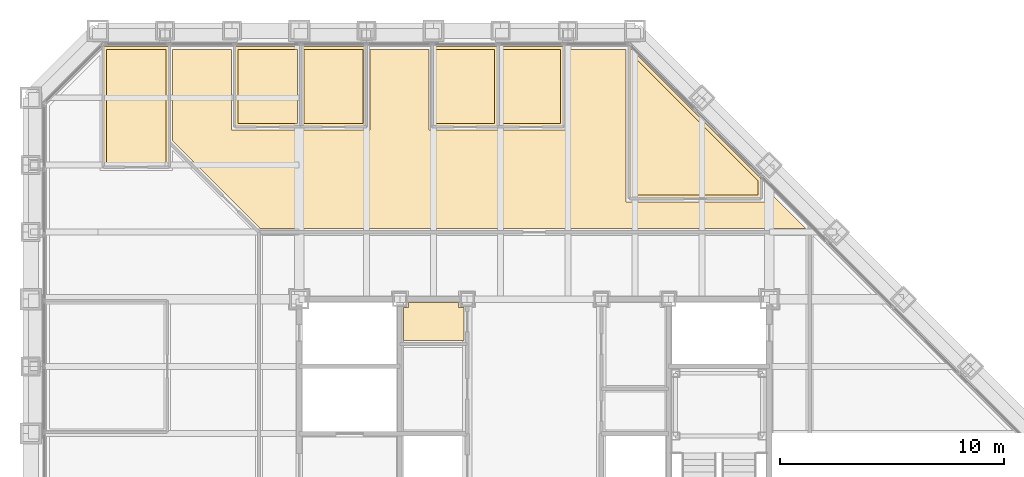
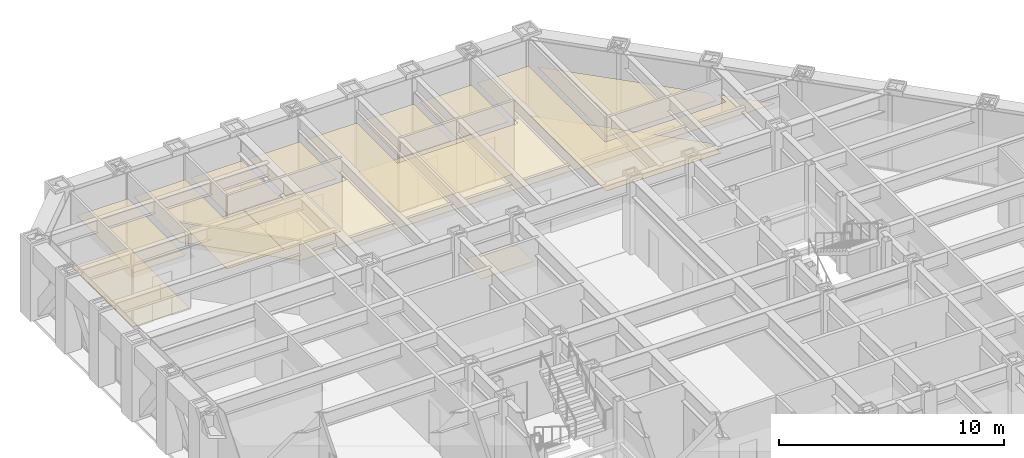
# One storey, part 17 of 17: 14 coverings.
"""IFC4 building model written with IfcOpenShell, lengths in metres."""

from ifc_helpers import new_model, si_unit, direction, frame, origin, place, context, subcontext, project, spatial, polyline, outline, extrude, material, layer, layer_set, type_object, element, save


model = new_model("IFC4")

# Units and contexts
model_context = context("Model", 3, precision=1e-05, world=origin(), true_north=direction((0.0, 1.0)))
body_context = subcontext(model_context, "Body", "Model", "MODEL_VIEW")
ifc_project = project(units=[si_unit("LENGTHUNIT", "METRE"), si_unit("AREAUNIT", "SQUARE_METRE"), si_unit("VOLUMEUNIT", "CUBIC_METRE"), si_unit("PLANEANGLEUNIT", "RADIAN"), si_unit("MASSUNIT", "GRAM", prefix="KILO")], contexts=[model_context])

# Site, building, storey
site_placement = place(None, origin())
site = spatial("IfcSite", under=ifc_project, at=site_placement, CompositionType="ELEMENT")
building_placement = place(site_placement, origin())
building = spatial("IfcBuilding", under=site, at=building_placement, Name="Chuquiago Exchange Tower", CompositionType="ELEMENT")
storey_placement = place(building_placement, frame((0.0, 0.0, 169.800048828125)))
storey = spatial("IfcBuildingStorey", under=building, at=storey_placement, Name="L37", CompositionType="ELEMENT", Elevation=169.800048828125)

# Coverings
ifc_material_1 = material(Name="Mineral fibre tile, 600 x 600, on pale metal grid", Category="mineral fibre")
ifc_layer_1 = layer(ifc_material_1, 0.02001953125)
ifc_layer_set_1 = layer_set([ifc_layer_1], Name="CL1 suspended tile ceiling 20")
covering_type_1 = type_object("IfcCoveringType", Name="CL1 suspended tile ceiling 20", PredefinedType="CEILING", material=ifc_layer_set_1)
covering_1_placement = place(storey_placement, frame((0.0, 0.0, 2.800048828125)))
element("IfcCovering", 1, at=covering_1_placement, inside=storey, type_object=covering_type_1, Name="Ceiling Office", PredefinedType="CEILING", context=body_context, shape_type="SweptSolid", body=[
    extrude(outline(polyline([(6.036376953125, 44.14990234375), (6.036376953125, 39.050048828125), (3.3984375, 39.050048828125), (3.3984375, 44.14990234375), (6.036376953125, 44.14990234375)])), origin(), (0.0, 0.0, 1.0), 0.02001953125),
])
covering_2_placement = place(storey_placement, frame((0.0, 0.0, 2.800048828125)))
element("IfcCovering", 2, at=covering_2_placement, inside=storey, type_object=covering_type_1, Name="Ceiling Focus room", PredefinedType="CEILING", context=body_context, shape_type="SweptSolid", body=[
    extrude(outline(polyline([(11.912109375, 40.85009765625), (9.2744140625, 40.85009765625), (9.2744140625, 44.14990234375), (11.912109375, 44.14990234375), (11.912109375, 40.85009765625)])), origin(), (0.0, 0.0, 1.0), 0.02001953125),
])
covering_3_placement = place(storey_placement, frame((0.0, 0.0, 2.800048828125)))
element("IfcCovering", 3, at=covering_3_placement, inside=storey, type_object=covering_type_1, Name="Ceiling Focus room", PredefinedType="CEILING", context=body_context, shape_type="SweptSolid", body=[
    extrude(outline(polyline([(14.85009765625, 40.85009765625), (12.212158203125, 40.85009765625), (12.212158203125, 44.14990234375), (14.85009765625, 44.14990234375), (14.85009765625, 40.85009765625)])), origin(), (0.0, 0.0, 1.0), 0.02001953125),
])
covering_4_placement = place(storey_placement, frame((0.0, 0.0, 2.800048828125)))
element("IfcCovering", 4, at=covering_4_placement, inside=storey, type_object=covering_type_1, Name="Ceiling Focus room", PredefinedType="CEILING", context=body_context, shape_type="SweptSolid", body=[
    extrude(outline(polyline([(20.7255859375, 40.85009765625), (18.087890625, 40.85009765625), (18.087890625, 44.14990234375), (20.7255859375, 44.14990234375), (20.7255859375, 40.85009765625)])), origin(), (0.0, 0.0, 1.0), 0.02001953125),
])
covering_5_placement = place(storey_placement, frame((0.0, 0.0, 2.800048828125)))
element("IfcCovering", 5, at=covering_5_placement, inside=storey, type_object=covering_type_1, Name="Ceiling Focus room", PredefinedType="CEILING", context=body_context, shape_type="SweptSolid", body=[
    extrude(outline(polyline([(23.66357421875, 40.85009765625), (21.025634765625, 40.85009765625), (21.025634765625, 44.14990234375), (23.66357421875, 44.14990234375), (23.66357421875, 40.85009765625)])), origin(), (0.0, 0.0, 1.0), 0.02001953125),
])
covering_6_placement = place(storey_placement, frame((0.0, 0.0, 2.800048828125)))
element("IfcCovering", 6, at=covering_6_placement, inside=storey, type_object=covering_type_1, Name="Ceiling Conference room", PredefinedType="CEILING", context=body_context, shape_type="SweptSolid", body=[
    extrude(outline(polyline([(32.484375, 37.64990234375), (26.901611328125, 37.64990234375), (26.901611328125, 43.896484375), (32.484375, 38.313720703125), (32.484375, 37.64990234375)])), origin(), (0.0, 0.0, 1.0), 0.02001953125),
])
covering_7_placement = place(storey_placement, frame((0.0, 0.0, 2.800048828125)))
element("IfcCovering", 7, at=covering_7_placement, inside=storey, type_object=covering_type_1, Name="Ceiling Open office east", PredefinedType="CEILING", context=body_context, shape_type="SweptSolid", body=[
    extrude(outline(polyline([(8.974365234375, 44.14990234375), (8.974365234375, 40.550048828125), (15.14990234375, 40.550048828125), (15.14990234375, 44.14990234375), (17.787841796875, 44.14990234375), (17.787841796875, 40.550048828125), (23.963623046875, 40.550048828125), (23.963623046875, 44.14990234375), (26.6015625, 44.14990234375), (26.6015625, 37.35009765625), (32.7841796875, 37.35009765625), (32.7841796875, 38.013671875), (34.64794921875, 36.14990234375), (10.2626953125, 36.14990234375), (6.33642578125, 40.076416015625), (6.33642578125, 44.14990234375), (8.974365234375, 44.14990234375)])), origin(), (0.0, 0.0, 1.0), 0.02001953125),
])
ifc_material_2 = material(Name="Moisture resistant plasterboard on metal frame", Category="gypsum")
ifc_layer_2 = layer(ifc_material_2, 0.014892578125)
ifc_layer_set_2 = layer_set([ifc_layer_2], Name="CL2 moisture resistant ceiling 15")
covering_type_2 = type_object("IfcCoveringType", Name="CL2 moisture resistant ceiling 15", PredefinedType="CEILING", material=ifc_layer_set_2)
covering_8_placement = place(storey_placement, frame((0.0, 0.0, 2.599853515625)))
element("IfcCovering", 8, at=covering_8_placement, inside=storey, type_object=covering_type_2, Name="Ceiling Staff shower room", PredefinedType="CEILING", context=body_context, shape_type="SweptSolid", body=[
    extrude(outline(polyline([(16.64990234375, 31.14990234375), (16.64990234375, 32.625), (16.875, 32.625), (16.875, 32.85009765625), (19.125, 32.85009765625), (19.125, 32.625), (19.35009765625, 32.625), (19.35009765625, 31.14990234375), (16.64990234375, 31.14990234375)])), origin(), (0.0, 0.0, 1.0), 0.01513671875),
])
ifc_material_3 = material(Name="Carpet tile, 500 x 500, on the floor slab", Category="textile")
ifc_layer_3 = layer(ifc_material_3, 0.010009765625)
ifc_layer_set_3 = layer_set([ifc_layer_3], Name="FL1 carpet tile 10")
covering_type_3 = type_object("IfcCoveringType", Name="FL1 carpet tile 10", PredefinedType="FLOORING", material=ifc_layer_set_3)
covering_9_placement = place(storey_placement, origin())
element("IfcCovering", 9, at=covering_9_placement, inside=storey, type_object=covering_type_3, Name="Floor finish Office", PredefinedType="FLOORING", context=body_context, shape_type="SweptSolid", body=[
    extrude(outline(polyline([(3.289794921875, 44.300048828125), (6.186279296875, 44.300048828125), (6.186279296875, 38.89990234375), (3.24853515625, 38.89990234375), (3.24853515625, 44.258544921875), (3.289794921875, 44.300048828125)])), origin(), (0.0, 0.0, 1.0), 0.010009765625),
])
covering_10_placement = place(storey_placement, origin())
element("IfcCovering", 10, at=covering_10_placement, inside=storey, type_object=covering_type_3, Name="Floor finish Focus room", PredefinedType="FLOORING", context=body_context, shape_type="SweptSolid", body=[
    extrude(outline(polyline([(12.06201171875, 44.300048828125), (12.06201171875, 40.699951171875), (9.124267578125, 40.699951171875), (9.124267578125, 44.300048828125), (12.06201171875, 44.300048828125)])), origin(), (0.0, 0.0, 1.0), 0.010009765625),
])
covering_11_placement = place(storey_placement, origin())
element("IfcCovering", 11, at=covering_11_placement, inside=storey, type_object=covering_type_3, Name="Floor finish Focus room", PredefinedType="FLOORING", context=body_context, shape_type="SweptSolid", body=[
    extrude(outline(polyline([(15.0, 44.300048828125), (15.0, 40.699951171875), (12.06201171875, 40.699951171875), (12.06201171875, 44.300048828125), (15.0, 44.300048828125)])), origin(), (0.0, 0.0, 1.0), 0.010009765625),
])
covering_12_placement = place(storey_placement, origin())
element("IfcCovering", 12, at=covering_12_placement, inside=storey, type_object=covering_type_3, Name="Floor finish Focus room", PredefinedType="FLOORING", context=body_context, shape_type="SweptSolid", body=[
    extrude(outline(polyline([(20.875732421875, 44.300048828125), (20.875732421875, 40.699951171875), (17.93798828125, 40.699951171875), (17.93798828125, 44.300048828125), (20.875732421875, 44.300048828125)])), origin(), (0.0, 0.0, 1.0), 0.010009765625),
])
covering_13_placement = place(storey_placement, origin())
element("IfcCovering", 13, at=covering_13_placement, inside=storey, type_object=covering_type_3, Name="Floor finish Focus room", PredefinedType="FLOORING", context=body_context, shape_type="SweptSolid", body=[
    extrude(outline(polyline([(23.813720703125, 44.300048828125), (23.813720703125, 40.699951171875), (20.875732421875, 40.699951171875), (20.875732421875, 44.300048828125), (23.813720703125, 44.300048828125)])), origin(), (0.0, 0.0, 1.0), 0.010009765625),
])
covering_14_placement = place(storey_placement, origin())
element("IfcCovering", 14, at=covering_14_placement, inside=storey, type_object=covering_type_3, Name="Floor finish Conference room", PredefinedType="FLOORING", context=body_context, shape_type="SweptSolid", body=[
    extrude(outline(polyline([(32.63427734375, 38.375732421875), (32.63427734375, 37.5), (26.75146484375, 37.5), (26.75146484375, 44.258544921875), (32.63427734375, 38.375732421875)])), origin(), (0.0, 0.0, 1.0), 0.010009765625),
])

save(model, "model.ifc")
